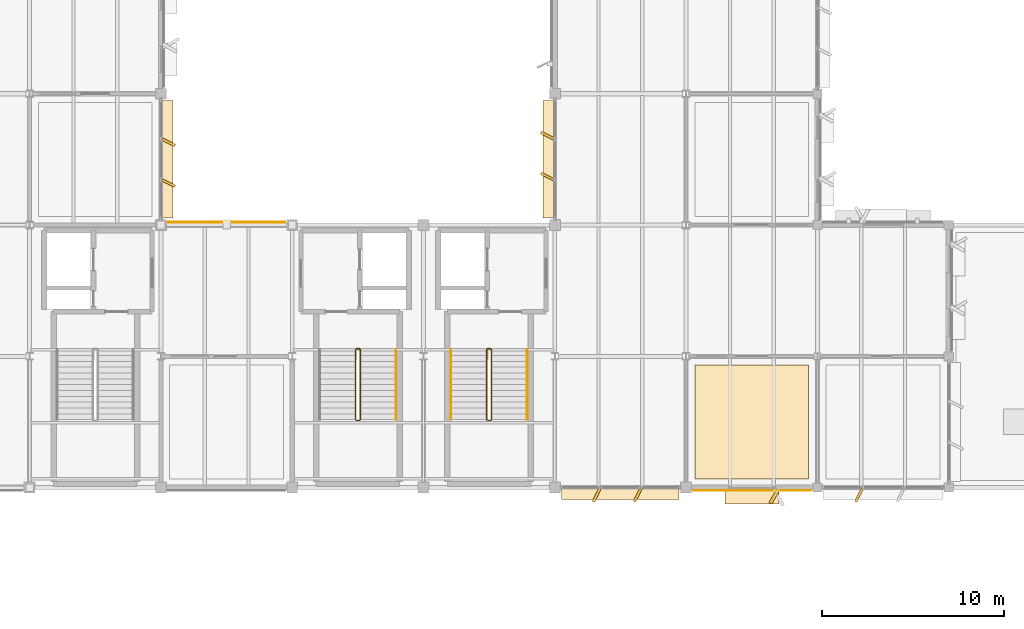
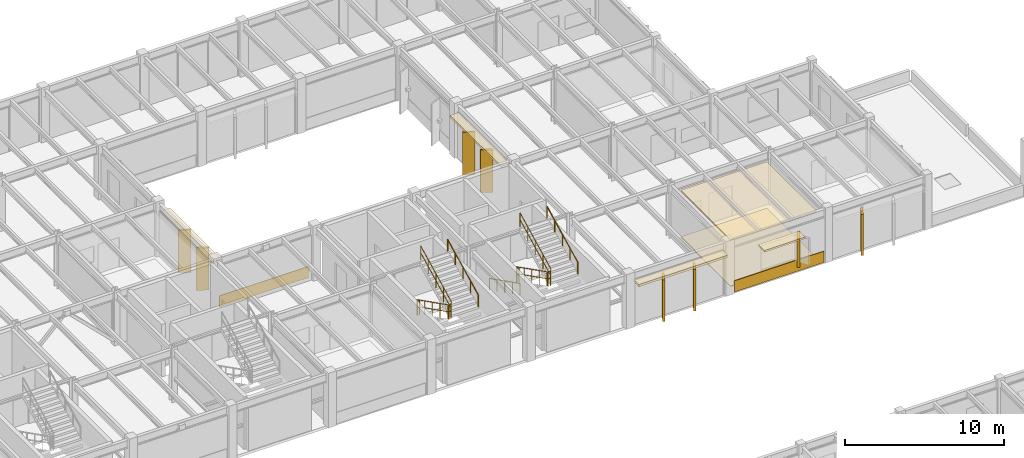
# One storey, part 83 of 85: 16 coverings, 11 railings.
"""IFC4 building model written with IfcOpenShell, lengths in metres."""

import ifcopenshell
import ifcopenshell.guid

model = None  # the IFC model being written
_history = None  # IfcOwnerHistory: only IFC2X3 demands one
_inside = {}  # id of a spatial element -> (the spatial element, [elements in it])
_under = {}  # id of a project, library or spatial element -> (it, [spatial elements below it])
_declared = {}  # id of a project -> (the project, [libraries it declares])
_typed = {}  # id of a type object -> (the type object, [elements of that type])
_made_of = {}  # id of a material, layer set ... -> (it, [elements and type objects made of it])


def new_model(schema):
    """Start an empty IFC model of exactly this schema.

    Asked for "IFC4X3", IfcOpenShell would pick the latest addendum, in which some entities
    have other attributes; the version numbers below select the first issue.
    IFC2X3 requires an IfcOwnerHistory on every rooted entity: one is made here for all.
    """
    global model, _history
    if schema == "IFC4X3":
        model = ifcopenshell.file(schema_version=(4, 3, 0, 0))
    else:
        model = ifcopenshell.file(schema=schema)
    _inside.clear()
    _under.clear()
    _declared.clear()
    _typed.clear()
    _made_of.clear()
    _history = None
    if model.schema == "IFC2X3":
        org = make("IfcOrganization", Name="unknown")
        user = make(
            "IfcPersonAndOrganization",
            ThePerson=make("IfcPerson", FamilyName="unknown"),
            TheOrganization=org,
        )
        app = make(
            "IfcApplication",
            ApplicationDeveloper=org,
            Version="unknown",
            ApplicationFullName="unknown",
            ApplicationIdentifier="unknown",
        )
        _history = make(
            "IfcOwnerHistory",
            OwningUser=user,
            OwningApplication=app,
            ChangeAction="ADDED",
            CreationDate=0,
        )
    return model


def make(cls, **values):
    """One entity of the class cls with the attributes given. An attribute that is None is left unset."""
    return model.create_entity(
        cls, **{name: value for name, value in values.items() if value is not None}
    )


def rooted(cls, **values):
    """An entity with a GlobalId (a new one), such as an element, a storey or a relation."""
    return make(cls, GlobalId=ifcopenshell.guid.new(), OwnerHistory=_history, **values)


def si_unit(unit_type, name, prefix=None):
    """IfcSIUnit, for example si_unit("LENGTHUNIT", "METRE", prefix="MILLI")."""
    return make("IfcSIUnit", UnitType=unit_type, Prefix=prefix, Name=name)


def assignment(units):
    """IfcUnitAssignment: the units of a project."""
    return None if units is None else make("IfcUnitAssignment", Units=units)


def point(xyz):
    """IfcCartesianPoint."""
    return None if xyz is None else make("IfcCartesianPoint", Coordinates=xyz)


def direction(xyz):
    """IfcDirection."""
    return None if xyz is None else make("IfcDirection", DirectionRatios=xyz)


def frame(location, z_axis=None, x_axis=None):
    """IfcAxis2Placement3D, a coordinate frame: its origin and axes. An axis left out is left unset."""
    return make(
        "IfcAxis2Placement3D",
        Location=point(location),
        Axis=direction(z_axis),
        RefDirection=direction(x_axis),
    )


def frame_2d(location, x_axis=None):
    """IfcAxis2Placement2D, a coordinate frame in the plane: its origin and x axis."""
    return make(
        "IfcAxis2Placement2D", Location=point(location), RefDirection=direction(x_axis)
    )


def origin():
    """The frame at (0, 0, 0) with its axes left unset."""
    return frame((0.0, 0.0, 0.0))


def origin_2d():
    """The frame at (0, 0) in the plane with its x axis left unset."""
    return frame_2d((0.0, 0.0))


def place(relative_to, where):
    """IfcLocalPlacement: puts the frame where relative to a parent placement (None: the world)."""
    return make(
        "IfcLocalPlacement", PlacementRelTo=relative_to, RelativePlacement=where
    )


def context(
    kind, dimensions, precision=None, world=None, true_north=None, identifier=None
):
    """IfcGeometricRepresentationContext, for example the 3D "Model" context."""
    return make(
        "IfcGeometricRepresentationContext",
        ContextIdentifier=identifier,
        ContextType=kind,
        CoordinateSpaceDimension=dimensions,
        Precision=precision,
        WorldCoordinateSystem=world,
        TrueNorth=true_north,
    )


def subcontext(parent, identifier, kind, view, scale=None):
    """IfcGeometricRepresentationSubContext, for example "Body" below "Model"."""
    return make(
        "IfcGeometricRepresentationSubContext",
        ContextIdentifier=identifier,
        ContextType=kind,
        ParentContext=parent,
        TargetScale=scale,
        TargetView=view,
    )


def project(units=None, contexts=None):
    """IfcProject with its units and contexts."""
    return rooted(
        "IfcProject",
        Name="project",
        RepresentationContexts=contexts,
        UnitsInContext=assignment(units),
    )


def spatial(cls, under=None, at=None, **own):
    """A site, building, storey or space (cls), placed at a placement, below another one or the project."""
    s = rooted(cls, ObjectPlacement=at, **own)
    if under is not None:
        _under.setdefault(under.id(), (under, []))[1].append(s)
    return s


def polyline(points):
    """IfcPolyline through the points."""
    return make("IfcPolyline", Points=[point(p) for p in points])


def profile(cls, at=None, kind="AREA", **sizes):
    """A parametric profile (cls). Its sizes go by their IFC names, for example OverallWidth=200.0."""
    return make(cls, ProfileType=kind, Position=at, **sizes)


def rectangle(**sizes):
    """IfcRectangleProfileDef."""
    return profile("IfcRectangleProfileDef", **sizes)


def circle(**sizes):
    """IfcCircleProfileDef."""
    return profile("IfcCircleProfileDef", **sizes)


def outline(outer, holes=None, kind="AREA"):
    """IfcArbitraryClosedProfileDef: a profile drawn as a closed curve; with holes, ...WithVoids."""
    if holes is None:
        return make("IfcArbitraryClosedProfileDef", ProfileType=kind, OuterCurve=outer)
    return make(
        "IfcArbitraryProfileDefWithVoids",
        ProfileType=kind,
        OuterCurve=outer,
        InnerCurves=holes,
    )


def extrude(swept, where, along, depth):
    """IfcExtrudedAreaSolid: the profile swept, set in the frame where, extruded along a direction by depth."""
    return make(
        "IfcExtrudedAreaSolid",
        SweptArea=swept,
        Position=where,
        ExtrudedDirection=direction(along),
        Depth=depth,
    )


def shape(context_of_items, identifier, shape_type, items):
    """IfcShapeRepresentation: the items that make up one representation, for example the "Body"."""
    return make(
        "IfcShapeRepresentation",
        ContextOfItems=context_of_items,
        RepresentationIdentifier=identifier,
        RepresentationType=shape_type,
        Items=items,
    )


def material(Name=None, Category=None):
    """IfcMaterial."""
    return make("IfcMaterial", Name=Name, Category=Category)


def layer(
    of_material, thickness, ventilated=None, Name=None, Category=None, Priority=None
):
    """IfcMaterialLayer: one layer of a wall or slab, of a material (None: an air gap)."""
    return make(
        "IfcMaterialLayer",
        Material=of_material,
        LayerThickness=thickness,
        IsVentilated=ventilated,
        Name=Name,
        Category=Category,
        Priority=Priority,
    )


def layer_set(layers, Name=None):
    """IfcMaterialLayerSet."""
    return make("IfcMaterialLayerSet", MaterialLayers=layers, LayerSetName=Name)


def made_of(thing, what):
    """Note that an element or type object is made of a material, layer set ...; save() writes the relation."""
    if what is not None:
        _made_of.setdefault(what.id(), (what, []))[1].append(thing)
    return thing


def type_object(cls, material=None, **own):
    """A type object (cls), such as IfcWallType, which elements share."""
    return made_of(rooted(cls, **own), material)


def element(
    cls,
    number,
    at=None,
    inside=None,
    cuts=None,
    type_object=None,
    material=None,
    context=None,
    identifier="Body",
    shape_type=None,
    held_by="IfcProductDefinitionShape",
    body=None,
    shapes=None,
    **own,
):
    """One element of the class cls, such as IfcWall. Its Tag is "e" and its number.

    at: its placement. inside: the storey or other place that contains it. cuts: it is an
    opening in that element (IfcRelVoidsElement). A single representation is given by context,
    identifier, shape_type and body (its items); several are given by shapes. held_by: the class
    of the entity that holds the representations. save() writes the other relations.
    """
    e = rooted(cls, Tag="e%d" % number, ObjectPlacement=at, **own)
    if body is not None:
        shapes = [shape(context, identifier, shape_type, body)]
    if shapes is not None:
        e.Representation = make(held_by, Representations=shapes)
    if inside is not None:
        _inside.setdefault(inside.id(), (inside, []))[1].append(e)
    if cuts is not None:
        rooted(
            "IfcRelVoidsElement", RelatingBuildingElement=cuts, RelatedOpeningElement=e
        )
    if type_object is not None:
        _typed.setdefault(type_object.id(), (type_object, []))[1].append(e)
    return made_of(e, material)


def aggregate(whole, parts):
    """IfcRelAggregates: a whole, such as a stair, and the parts it consists of."""
    return rooted("IfcRelAggregates", RelatingObject=whole, RelatedObjects=parts)


def save(model, path):
    """Write the relations noted so far, then the file.

    IfcRelAggregates (storeys below a building ...), IfcRelContainedInSpatialStructure (elements
    in a storey), IfcRelDefinesByType, IfcRelAssociatesMaterial and IfcRelDeclares: one each for
    every whole, place, type object, material and project.
    """
    for whole, parts in _under.values():
        aggregate(whole, parts)
    for where, things in _inside.values():
        rooted(
            "IfcRelContainedInSpatialStructure",
            RelatedElements=things,
            RelatingStructure=where,
        )
    for kind, things in _typed.values():
        rooted("IfcRelDefinesByType", RelatedObjects=things, RelatingType=kind)
    for what, things in _made_of.values():
        rooted("IfcRelAssociatesMaterial", RelatedObjects=things, RelatingMaterial=what)
    for by, libraries in _declared.values():
        rooted("IfcRelDeclares", RelatingContext=by, RelatedDefinitions=libraries)
    model.write(path)


model = new_model("IFC4")

# Units and contexts
model_context = context("Model", 3, precision=1e-05, world=origin(), true_north=direction((0.0, 1.0)))
body_context = subcontext(model_context, "Body", "Model", "MODEL_VIEW")
ifc_project = project(units=[si_unit("LENGTHUNIT", "METRE"), si_unit("AREAUNIT", "SQUARE_METRE"), si_unit("VOLUMEUNIT", "CUBIC_METRE"), si_unit("PLANEANGLEUNIT", "RADIAN"), si_unit("MASSUNIT", "GRAM", prefix="KILO")], contexts=[model_context])

# Site, building, storey
site_placement = place(None, origin())
site = spatial("IfcSite", under=ifc_project, at=site_placement, CompositionType="ELEMENT")
building_placement = place(site_placement, origin())
building = spatial("IfcBuilding", under=site, at=building_placement, Name="Sillqori Civic Hall", CompositionType="ELEMENT")
storey_placement = place(building_placement, frame((0.0, 0.0, 9.89990234375)))
storey = spatial("IfcBuildingStorey", under=building, at=storey_placement, Name="L03", CompositionType="ELEMENT", Elevation=9.89990234375)

# Coverings
ifc_material_1 = material(Name="Chamber Acoustic Coffer Liner 84", Category="timber")
ifc_layer_1 = layer(ifc_material_1, 0.083984375)
ifc_layer_set_1 = layer_set([ifc_layer_1], Name="Chamber Acoustic Coffer Liner 84")
covering_type_1 = type_object("IfcCoveringType", Name="COV-CEIL-M84", PredefinedType="CEILING", material=ifc_layer_set_1)
covering_1_placement = place(storey_placement, frame((0.0, 0.0, 3.537109375)))
element("IfcCovering", 1, at=covering_1_placement, inside=storey, type_object=covering_type_1, Name="Civil Engineering and Drainage Directorate L03-06 acoustic ceiling", PredefinedType="CEILING", context=body_context, shape_type="SweptSolid", body=[
    extrude(outline(polyline([(101.280029296875, 79.679931640625), (107.52001953125, 79.679931640625), (107.52001953125, 85.919921875), (101.280029296875, 85.919921875), (101.280029296875, 79.679931640625)])), origin(), (0.0, 0.0, 1.0), 0.083984375),
])
ifc_material_2 = material(Name="Cochabamba Honed Limestone Cladding", Category="masonry")
ifc_layer_2 = layer(ifc_material_2, 0.044921875)
ifc_layer_set_2 = layer_set([ifc_layer_2], Name="Cochabamba Honed Limestone Cladding")
covering_type_2 = type_object("IfcCoveringType", Name="COV-CLAD-LIME", PredefinedType="CLADDING", material=ifc_layer_set_2)
covering_2_placement = place(storey_placement, frame((72.320068359375, 100.419921875, 3.30712890625), z_axis=(0.0, 0.0, 1.0), x_axis=(0.0, -1.0, 0.0)))
element("IfcCovering", 2, at=covering_2_placement, inside=storey, type_object=covering_type_2, Name="L03 curtain-wall limestone solar hood L03-09-13-E", PredefinedType="CLADDING", context=body_context, shape_type="SweptSolid", body=[
    extrude(rectangle(XDim=6.43994140625, YDim=0.679931640625, at=frame_2d((3.219970703125, 0.0))), origin(), (0.0, 0.0, 1.0), 0.179931640625),
])
for number, where, z_axis, x_axis, name in (
    (3, (72.050048828125, 98.322021484375, 0.06005859375), (0.0, 0.0, 1.0), (0.894366527193, -0.447334902547, 0.0), "L03 curtain-wall angled stone fin L03-09-13-E.1"),
    (4, (72.050048828125, 96.077880859375, 0.06005859375), (0.0, 0.0, 1.0), (0.894487846579, -0.44709226377, 0.0), "L03 curtain-wall angled stone fin L03-09-13-E.2"),
):
    element("IfcCovering", number, at=place(storey_placement, frame(where, z_axis=z_axis, x_axis=x_axis)), inside=storey, type_object=covering_type_2, Name=name, PredefinedType="CLADDING", context=body_context, shape_type="SweptSolid", body=[
        extrude(rectangle(XDim=0.804931640625, YDim=0.139892578125, at=frame_2d((0.40234375, 0.0))), origin(), (0.0, 0.0, 1.0), 3.2470703125),
    ])
covering_3_placement = place(storey_placement, frame((72.3798828125, 93.760009765625, 0.0400390625), z_axis=(0.0, 0.0, 1.0), x_axis=(1.0, 0.0, 0.0)))
element("IfcCovering", 5, at=covering_3_placement, inside=storey, type_object=covering_type_2, Name="L03 limestone spandrel cladding L03-10-12-N", PredefinedType="CLADDING", context=body_context, shape_type="SweptSolid", body=[
    extrude(rectangle(XDim=6.440185546875, YDim=0.044921875, at=frame_2d((3.22021484375, 0.0))), origin(), (0.0, 0.0, 1.0), 0.860107421875),
])
covering_4_placement = place(storey_placement, frame((100.419921875, 78.8798828125, 3.238037109375), z_axis=(0.0, 0.0, 1.0), x_axis=(-1.0, 0.0, 0.0)))
element("IfcCovering", 6, at=covering_4_placement, inside=storey, type_object=covering_type_2, Name="L03 curtain-wall limestone solar hood L03-13-11-S", PredefinedType="CLADDING", context=body_context, shape_type="SweptSolid", body=[
    extrude(rectangle(XDim=6.43994140625, YDim=0.679931640625, at=frame_2d((3.219970703125, 0.0))), origin(), (0.0, 0.0, 1.0), 0.18017578125),
])
for number, where, z_axis, x_axis, name in (
    (7, (98.322021484375, 79.14990234375, 0.06005859375), (0.0, 0.0, 1.0), (-0.447334902547, -0.894366527193, 0.0), "L03 curtain-wall angled stone fin L03-13-11-S.1"),
    (8, (96.077880859375, 79.14990234375, 0.06005859375), (0.0, 0.0, 1.0), (-0.44709226377, -0.894487846579, 0.0), "L03 curtain-wall angled stone fin L03-13-11-S.2"),
):
    element("IfcCovering", number, at=place(storey_placement, frame(where, z_axis=z_axis, x_axis=x_axis)), inside=storey, type_object=covering_type_2, Name=name, PredefinedType="CLADDING", context=body_context, shape_type="SweptSolid", body=[
        extrude(rectangle(XDim=0.804931640625, YDim=0.139892578125, at=frame_2d((0.40234375, 0.0))), origin(), (0.0, 0.0, 1.0), 3.177978515625),
    ])
covering_5_placement = place(storey_placement, frame((93.280029296875, 93.97998046875, 3.30712890625), z_axis=(0.0, 0.0, 1.0), x_axis=(0.0, 1.0, 0.0)))
element("IfcCovering", 9, at=covering_5_placement, inside=storey, type_object=covering_type_2, Name="L03 curtain-wall limestone solar hood L03-13-13-W", PredefinedType="CLADDING", context=body_context, shape_type="SweptSolid", body=[
    extrude(rectangle(XDim=6.43994140625, YDim=0.679931640625, at=frame_2d((3.219970703125, 0.0))), origin(), (0.0, 0.0, 1.0), 0.179931640625),
])
for number, where, z_axis, x_axis, name in (
    (10, (93.550048828125, 96.077880859375, 0.06005859375), (0.0, 0.0, 1.0), (-0.894366527193, 0.447334902547, 0.0), "L03 curtain-wall angled stone fin L03-13-13-W.1"),
    (11, (93.550048828125, 98.322021484375, 0.06005859375), (0.0, 0.0, 1.0), (-0.894487846579, 0.44709226377, 0.0), "L03 curtain-wall angled stone fin L03-13-13-W.2"),
):
    element("IfcCovering", number, at=place(storey_placement, frame(where, z_axis=z_axis, x_axis=x_axis)), inside=storey, type_object=covering_type_2, Name=name, PredefinedType="CLADDING", context=body_context, shape_type="SweptSolid", body=[
        extrude(rectangle(XDim=0.804931640625, YDim=0.139892578125, at=frame_2d((0.40234375, 0.0))), origin(), (0.0, 0.0, 1.0), 3.2470703125),
    ])
covering_6_placement = place(storey_placement, frame((107.669921875, 79.0400390625, 0.0400390625), z_axis=(0.0, 0.0, 1.0), x_axis=(-1.0, 0.0, 0.0)))
element("IfcCovering", 12, at=covering_6_placement, inside=storey, type_object=covering_type_2, Name="L03 limestone spandrel cladding L03-14-11-S", PredefinedType="CLADDING", context=body_context, shape_type="SweptSolid", body=[
    extrude(rectangle(XDim=6.489990234375, YDim=0.044921875, at=frame_2d((3.2451171875, 0.0))), origin(), (0.0, 0.0, 1.0), 0.860107421875),
])
covering_7_placement = place(storey_placement, frame((105.844970703125, 79.080078125, 0.830078125), z_axis=(0.0, 0.0, 1.0), x_axis=(-0.500062241894, -0.865989465428, 0.0)))
element("IfcCovering", 13, at=covering_7_placement, inside=storey, type_object=covering_type_2, Name="Sawtooth limestone angled reveal cheek L03-14-11-S.1", PredefinedType="CLADDING", context=body_context, shape_type="SweptSolid", body=[
    extrude(rectangle(XDim=0.85009765625, YDim=0.179931640625, at=frame_2d((0.425048828125, 0.0))), origin(), (0.0, 0.0, 1.0), 2.199951171875),
])
covering_8_placement = place(storey_placement, frame((105.905029296875, 78.699951171875, 2.89013671875), z_axis=(0.0, 0.0, 1.0), x_axis=(-1.0, 0.0, 0.0)))
element("IfcCovering", 14, at=covering_8_placement, inside=storey, type_object=covering_type_2, Name="Sawtooth limestone window hood L03-14-11-S.1", PredefinedType="CLADDING", context=body_context, shape_type="SweptSolid", body=[
    extrude(rectangle(XDim=2.9599609375, YDim=0.780029296875, at=frame_2d((1.47998046875, 0.0))), origin(), (0.0, 0.0, 1.0), 0.139892578125),
])
covering_9_placement = place(storey_placement, frame((110.4609375, 79.14990234375, 0.06005859375), z_axis=(0.0, 0.0, 1.0), x_axis=(-0.44709226377, -0.894487846579, 0.0)))
element("IfcCovering", 15, at=covering_9_placement, inside=storey, type_object=covering_type_2, Name="L03 curtain-wall angled stone fin L03-15-11-S.2", PredefinedType="CLADDING", context=body_context, shape_type="SweptSolid", body=[
    extrude(rectangle(XDim=0.804931640625, YDim=0.139892578125, at=frame_2d((0.40234375, 0.0))), origin(), (0.0, 0.0, 1.0), 3.157958984375),
])
ifc_material_3 = material(Name="Raised Access Technical Floor Panel 62", Category="stone")
ifc_layer_3 = layer(ifc_material_3, 0.06201171875)
ifc_layer_set_3 = layer_set([ifc_layer_3], Name="Raised Access Technical Floor Panel 62")
covering_type_3 = type_object("IfcCoveringType", Name="COV-FLR-S62", PredefinedType="FLOORING", material=ifc_layer_set_3)
covering_10_placement = place(storey_placement, origin())
element("IfcCovering", 16, at=covering_10_placement, inside=storey, type_object=covering_type_3, Name="Civil Engineering and Drainage Directorate L03-06 floor finish", PredefinedType="FLOORING", context=body_context, shape_type="SweptSolid", body=[
    extrude(outline(polyline([(101.280029296875, 79.679931640625), (107.52001953125, 79.679931640625), (107.52001953125, 85.919921875), (101.280029296875, 85.919921875), (101.280029296875, 79.679931640625)])), origin(), (0.0, 0.0, 1.0), 0.06201171875),
])

# Railings
ifc_material_4 = material(Name="Brushed Stainless Steel 316 Handrail", Category="steel")
ifc_layer_4 = layer(ifc_material_4, 0.044921875)
ifc_layer_set_4 = layer_set([ifc_layer_4], Name="Brushed Stainless Steel 316 Handrail")
railing_type_1 = type_object("IfcRailingType", Name="RLG-CORE-092", PredefinedType="HANDRAIL", material=ifc_layer_set_4)
railing_1_placement = place(storey_placement, frame((84.889892578125, 82.929931640625, 2.26171875)))
element("IfcRailing", 17, at=railing_1_placement, inside=storey, type_object=railing_type_1, Name="L03 ST-07 stair handrail 2", PredefinedType="HANDRAIL", context=body_context, shape_type="SweptSolid", body=[
    extrude(circle(Radius=0.02392578125, at=origin_2d()), frame((0.0, 0.0, 0.8759765625), z_axis=(0.0, 0.892706606903, 0.450638340569), x_axis=(-1.0, 0.0, 0.0)), (0.0, 0.0, 1.0), 4.301513671875),
    extrude(circle(Radius=0.02099609375, at=origin_2d()), origin(), (0.0, 0.0, 1.0), 0.851806640625),
    extrude(circle(Radius=0.02099609375, at=origin_2d()), frame((0.0, 0.9599609375, 0.484619140625)), (0.0, 0.0, 1.0), 0.851806640625),
    extrude(circle(Radius=0.02099609375, at=origin_2d()), frame((0.0, 1.919921875, 0.96923828125)), (0.0, 0.0, 1.0), 0.851806640625),
    extrude(circle(Radius=0.02099609375, at=origin_2d()), frame((0.0, 2.880126953125, 1.453857421875)), (0.0, 0.0, 1.0), 0.851806640625),
    extrude(circle(Radius=0.02099609375, at=origin_2d()), frame((0.0, 3.840087890625, 1.9384765625)), (0.0, 0.0, 1.0), 0.851806640625),
])
railing_2_placement = place(storey_placement, frame((87.909912109375, 86.77001953125, 0.16162109375)))
element("IfcRailing", 18, at=railing_2_placement, inside=storey, type_object=railing_type_1, Name="L03 ST-08 stair handrail 1", PredefinedType="HANDRAIL", context=body_context, shape_type="SweptSolid", body=[
    extrude(circle(Radius=0.02392578125, at=origin_2d()), frame((0.0, 0.0, 0.8759765625), z_axis=(0.0, -0.892706606903, 0.450638340569), x_axis=(1.0, 0.0, 0.0)), (0.0, 0.0, 1.0), 4.301513671875),
    extrude(circle(Radius=0.02099609375, at=origin_2d()), origin(), (0.0, 0.0, 1.0), 0.851806640625),
    extrude(circle(Radius=0.02099609375, at=origin_2d()), frame((0.0, -0.9599609375, 0.484619140625)), (0.0, 0.0, 1.0), 0.851806640625),
    extrude(circle(Radius=0.02099609375, at=origin_2d()), frame((0.0, -1.919921875, 0.96923828125)), (0.0, 0.0, 1.0), 0.851806640625),
    extrude(circle(Radius=0.02099609375, at=origin_2d()), frame((0.0, -2.880126953125, 1.453857421875)), (0.0, 0.0, 1.0), 0.851806640625),
    extrude(circle(Radius=0.02099609375, at=origin_2d()), frame((0.0, -3.840087890625, 1.9384765625)), (0.0, 0.0, 1.0), 0.851806640625),
])
railing_3_placement = place(storey_placement, frame((92.090087890625, 82.929931640625, 2.26171875)))
element("IfcRailing", 19, at=railing_3_placement, inside=storey, type_object=railing_type_1, Name="L03 ST-08 stair handrail 2", PredefinedType="HANDRAIL", context=body_context, shape_type="SweptSolid", body=[
    extrude(circle(Radius=0.02392578125, at=origin_2d()), frame((0.0, 0.0, 0.8759765625), z_axis=(0.0, 0.892706606903, 0.450638340569), x_axis=(-1.0, 0.0, 0.0)), (0.0, 0.0, 1.0), 4.301513671875),
    extrude(circle(Radius=0.02099609375, at=origin_2d()), origin(), (0.0, 0.0, 1.0), 0.851806640625),
    extrude(circle(Radius=0.02099609375, at=origin_2d()), frame((0.0, 0.9599609375, 0.484619140625)), (0.0, 0.0, 1.0), 0.851806640625),
    extrude(circle(Radius=0.02099609375, at=origin_2d()), frame((0.0, 1.919921875, 0.96923828125)), (0.0, 0.0, 1.0), 0.851806640625),
    extrude(circle(Radius=0.02099609375, at=origin_2d()), frame((0.0, 2.880126953125, 1.453857421875)), (0.0, 0.0, 1.0), 0.851806640625),
    extrude(circle(Radius=0.02099609375, at=origin_2d()), frame((0.0, 3.840087890625, 1.9384765625)), (0.0, 0.0, 1.0), 0.851806640625),
])
ifc_material_5 = material(Name="Galvanized Painted Steel Guardrail", Category="steel")
ifc_layer_5 = layer(ifc_material_5, 0.050048828125)
ifc_layer_set_5 = layer_set([ifc_layer_5], Name="Galvanized Painted Steel Guardrail")
railing_type_2 = type_object("IfcRailingType", Name="RLG-CORE-110", PredefinedType="GUARDRAIL", material=ifc_layer_set_5)
railing_4_placement = place(storey_placement, frame((82.669921875, 86.77001953125, 0.16162109375)))
element("IfcRailing", 20, at=railing_4_placement, inside=storey, type_object=railing_type_2, Name="L03 ST-07 stair guard 1", PredefinedType="GUARDRAIL", context=body_context, shape_type="SweptSolid", body=[
    extrude(circle(Radius=0.02392578125, at=origin_2d()), frame((0.0, 0.0, 1.076171875), z_axis=(0.0, -0.892706606903, 0.450638340569), x_axis=(1.0, 0.0, 0.0)), (0.0, 0.0, 1.0), 4.301513671875),
    extrude(circle(Radius=0.02392578125, at=origin_2d()), frame((0.0, 0.0, 0.550048828125), z_axis=(0.0, -0.892706606903, 0.450638340569), x_axis=(1.0, 0.0, 0.0)), (0.0, 0.0, 1.0), 4.301513671875),
    extrude(circle(Radius=0.02099609375, at=origin_2d()), origin(), (0.0, 0.0, 1.0), 1.052001953125),
    extrude(circle(Radius=0.02099609375, at=origin_2d()), frame((0.0, -0.9599609375, 0.484619140625)), (0.0, 0.0, 1.0), 1.052001953125),
    extrude(circle(Radius=0.02099609375, at=origin_2d()), frame((0.0, -1.919921875, 0.96923828125)), (0.0, 0.0, 1.0), 1.052001953125),
    extrude(circle(Radius=0.02099609375, at=origin_2d()), frame((0.0, -2.880126953125, 1.453857421875)), (0.0, 0.0, 1.0), 1.052001953125),
    extrude(circle(Radius=0.02099609375, at=origin_2d()), frame((0.0, -3.840087890625, 1.9384765625)), (0.0, 0.0, 1.0), 1.052001953125),
])
railing_5_placement = place(storey_placement, frame((82.719970703125, 82.8798828125, 2.10009765625)))
element("IfcRailing", 21, at=railing_5_placement, inside=storey, type_object=railing_type_2, Name="L03 ST-07 stair guard 2", PredefinedType="GUARDRAIL", context=body_context, shape_type="SweptSolid", body=[
    extrude(circle(Radius=0.02392578125, at=origin_2d()), frame((0.0, 0.0, 1.076171875), z_axis=(1.0, 0.0, 0.0), x_axis=(0.0, 1.0, 0.0)), (0.0, 0.0, 1.0), 0.159912109375),
    extrude(circle(Radius=0.02392578125, at=origin_2d()), frame((0.0, 0.0, 0.550048828125), z_axis=(1.0, 0.0, 0.0), x_axis=(0.0, 1.0, 0.0)), (0.0, 0.0, 1.0), 0.159912109375),
    extrude(circle(Radius=0.02099609375, at=origin_2d()), origin(), (0.0, 0.0, 1.0), 1.052001953125),
    extrude(circle(Radius=0.02099609375, at=origin_2d()), frame((0.159912109375, 0.0, 0.0)), (0.0, 0.0, 1.0), 1.052001953125),
])
railing_6_placement = place(storey_placement, frame((82.929931640625, 82.929931640625, 2.26171875)))
element("IfcRailing", 22, at=railing_6_placement, inside=storey, type_object=railing_type_2, Name="L03 ST-07 stair guard 3", PredefinedType="GUARDRAIL", context=body_context, shape_type="SweptSolid", body=[
    extrude(circle(Radius=0.02392578125, at=origin_2d()), frame((0.0, 0.0, 1.076171875), z_axis=(0.0, 0.892706606903, 0.450638340569), x_axis=(-1.0, 0.0, 0.0)), (0.0, 0.0, 1.0), 4.301513671875),
    extrude(circle(Radius=0.02392578125, at=origin_2d()), frame((0.0, 0.0, 0.550048828125), z_axis=(0.0, 0.892706606903, 0.450638340569), x_axis=(-1.0, 0.0, 0.0)), (0.0, 0.0, 1.0), 4.301513671875),
    extrude(circle(Radius=0.02099609375, at=origin_2d()), origin(), (0.0, 0.0, 1.0), 1.052001953125),
    extrude(circle(Radius=0.02099609375, at=origin_2d()), frame((0.0, 0.9599609375, 0.484619140625)), (0.0, 0.0, 1.0), 1.052001953125),
    extrude(circle(Radius=0.02099609375, at=origin_2d()), frame((0.0, 1.919921875, 0.96923828125)), (0.0, 0.0, 1.0), 1.052001953125),
    extrude(circle(Radius=0.02099609375, at=origin_2d()), frame((0.0, 2.880126953125, 1.453857421875)), (0.0, 0.0, 1.0), 1.052001953125),
    extrude(circle(Radius=0.02099609375, at=origin_2d()), frame((0.0, 3.840087890625, 1.9384765625)), (0.0, 0.0, 1.0), 1.052001953125),
])
railing_7_placement = place(storey_placement, frame((82.719970703125, 86.820068359375, 0.0)))
element("IfcRailing", 23, at=railing_7_placement, inside=storey, type_object=railing_type_2, Name="L03 ST-07 stair guard 4", PredefinedType="GUARDRAIL", context=body_context, shape_type="SweptSolid", body=[
    extrude(circle(Radius=0.02392578125, at=origin_2d()), frame((0.0, 0.0, 1.076171875), z_axis=(1.0, 0.0, 0.0), x_axis=(0.0, 1.0, 0.0)), (0.0, 0.0, 1.0), 0.159912109375),
    extrude(circle(Radius=0.02392578125, at=origin_2d()), frame((0.0, 0.0, 0.550048828125), z_axis=(1.0, 0.0, 0.0), x_axis=(0.0, 1.0, 0.0)), (0.0, 0.0, 1.0), 0.159912109375),
    extrude(circle(Radius=0.02099609375, at=origin_2d()), origin(), (0.0, 0.0, 1.0), 1.052001953125),
    extrude(circle(Radius=0.02099609375, at=origin_2d()), frame((0.159912109375, 0.0, 0.0)), (0.0, 0.0, 1.0), 1.052001953125),
])
railing_8_placement = place(storey_placement, frame((89.8701171875, 86.77001953125, 0.16162109375)))
element("IfcRailing", 24, at=railing_8_placement, inside=storey, type_object=railing_type_2, Name="L03 ST-08 stair guard 1", PredefinedType="GUARDRAIL", context=body_context, shape_type="SweptSolid", body=[
    extrude(circle(Radius=0.02392578125, at=origin_2d()), frame((0.0, 0.0, 1.076171875), z_axis=(0.0, -0.892706606903, 0.450638340569), x_axis=(1.0, 0.0, 0.0)), (0.0, 0.0, 1.0), 4.301513671875),
    extrude(circle(Radius=0.02392578125, at=origin_2d()), frame((0.0, 0.0, 0.550048828125), z_axis=(0.0, -0.892706606903, 0.450638340569), x_axis=(1.0, 0.0, 0.0)), (0.0, 0.0, 1.0), 4.301513671875),
    extrude(circle(Radius=0.02099609375, at=origin_2d()), origin(), (0.0, 0.0, 1.0), 1.052001953125),
    extrude(circle(Radius=0.02099609375, at=origin_2d()), frame((0.0, -0.9599609375, 0.484619140625)), (0.0, 0.0, 1.0), 1.052001953125),
    extrude(circle(Radius=0.02099609375, at=origin_2d()), frame((0.0, -1.919921875, 0.96923828125)), (0.0, 0.0, 1.0), 1.052001953125),
    extrude(circle(Radius=0.02099609375, at=origin_2d()), frame((0.0, -2.880126953125, 1.453857421875)), (0.0, 0.0, 1.0), 1.052001953125),
    extrude(circle(Radius=0.02099609375, at=origin_2d()), frame((0.0, -3.840087890625, 1.9384765625)), (0.0, 0.0, 1.0), 1.052001953125),
])
railing_9_placement = place(storey_placement, frame((89.919921875, 82.8798828125, 2.10009765625)))
element("IfcRailing", 25, at=railing_9_placement, inside=storey, type_object=railing_type_2, Name="L03 ST-08 stair guard 2", PredefinedType="GUARDRAIL", context=body_context, shape_type="SweptSolid", body=[
    extrude(circle(Radius=0.02392578125, at=origin_2d()), frame((0.0, 0.0, 1.076171875), z_axis=(1.0, 0.0, 0.0), x_axis=(0.0, 1.0, 0.0)), (0.0, 0.0, 1.0), 0.16015625),
    extrude(circle(Radius=0.02392578125, at=origin_2d()), frame((0.0, 0.0, 0.550048828125), z_axis=(1.0, 0.0, 0.0), x_axis=(0.0, 1.0, 0.0)), (0.0, 0.0, 1.0), 0.16015625),
    extrude(circle(Radius=0.02099609375, at=origin_2d()), origin(), (0.0, 0.0, 1.0), 1.052001953125),
    extrude(circle(Radius=0.02099609375, at=origin_2d()), frame((0.16015625, 0.0, 0.0)), (0.0, 0.0, 1.0), 1.052001953125),
])
railing_10_placement = place(storey_placement, frame((90.1298828125, 82.929931640625, 2.26171875)))
element("IfcRailing", 26, at=railing_10_placement, inside=storey, type_object=railing_type_2, Name="L03 ST-08 stair guard 3", PredefinedType="GUARDRAIL", context=body_context, shape_type="SweptSolid", body=[
    extrude(circle(Radius=0.02392578125, at=origin_2d()), frame((0.0, 0.0, 1.076171875), z_axis=(0.0, 0.892706606903, 0.450638340569), x_axis=(-1.0, 0.0, 0.0)), (0.0, 0.0, 1.0), 4.301513671875),
    extrude(circle(Radius=0.02392578125, at=origin_2d()), frame((0.0, 0.0, 0.550048828125), z_axis=(0.0, 0.892706606903, 0.450638340569), x_axis=(-1.0, 0.0, 0.0)), (0.0, 0.0, 1.0), 4.301513671875),
    extrude(circle(Radius=0.02099609375, at=origin_2d()), origin(), (0.0, 0.0, 1.0), 1.052001953125),
    extrude(circle(Radius=0.02099609375, at=origin_2d()), frame((0.0, 0.9599609375, 0.484619140625)), (0.0, 0.0, 1.0), 1.052001953125),
    extrude(circle(Radius=0.02099609375, at=origin_2d()), frame((0.0, 1.919921875, 0.96923828125)), (0.0, 0.0, 1.0), 1.052001953125),
    extrude(circle(Radius=0.02099609375, at=origin_2d()), frame((0.0, 2.880126953125, 1.453857421875)), (0.0, 0.0, 1.0), 1.052001953125),
    extrude(circle(Radius=0.02099609375, at=origin_2d()), frame((0.0, 3.840087890625, 1.9384765625)), (0.0, 0.0, 1.0), 1.052001953125),
])
railing_11_placement = place(storey_placement, frame((89.919921875, 86.820068359375, 0.0)))
element("IfcRailing", 27, at=railing_11_placement, inside=storey, type_object=railing_type_2, Name="L03 ST-08 stair guard 4", PredefinedType="GUARDRAIL", context=body_context, shape_type="SweptSolid", body=[
    extrude(circle(Radius=0.02392578125, at=origin_2d()), frame((0.0, 0.0, 1.076171875), z_axis=(1.0, 0.0, 0.0), x_axis=(0.0, 1.0, 0.0)), (0.0, 0.0, 1.0), 0.16015625),
    extrude(circle(Radius=0.02392578125, at=origin_2d()), frame((0.0, 0.0, 0.550048828125), z_axis=(1.0, 0.0, 0.0), x_axis=(0.0, 1.0, 0.0)), (0.0, 0.0, 1.0), 0.16015625),
    extrude(circle(Radius=0.02099609375, at=origin_2d()), origin(), (0.0, 0.0, 1.0), 1.052001953125),
    extrude(circle(Radius=0.02099609375, at=origin_2d()), frame((0.16015625, 0.0, 0.0)), (0.0, 0.0, 1.0), 1.052001953125),
])

save(model, "model.ifc")
